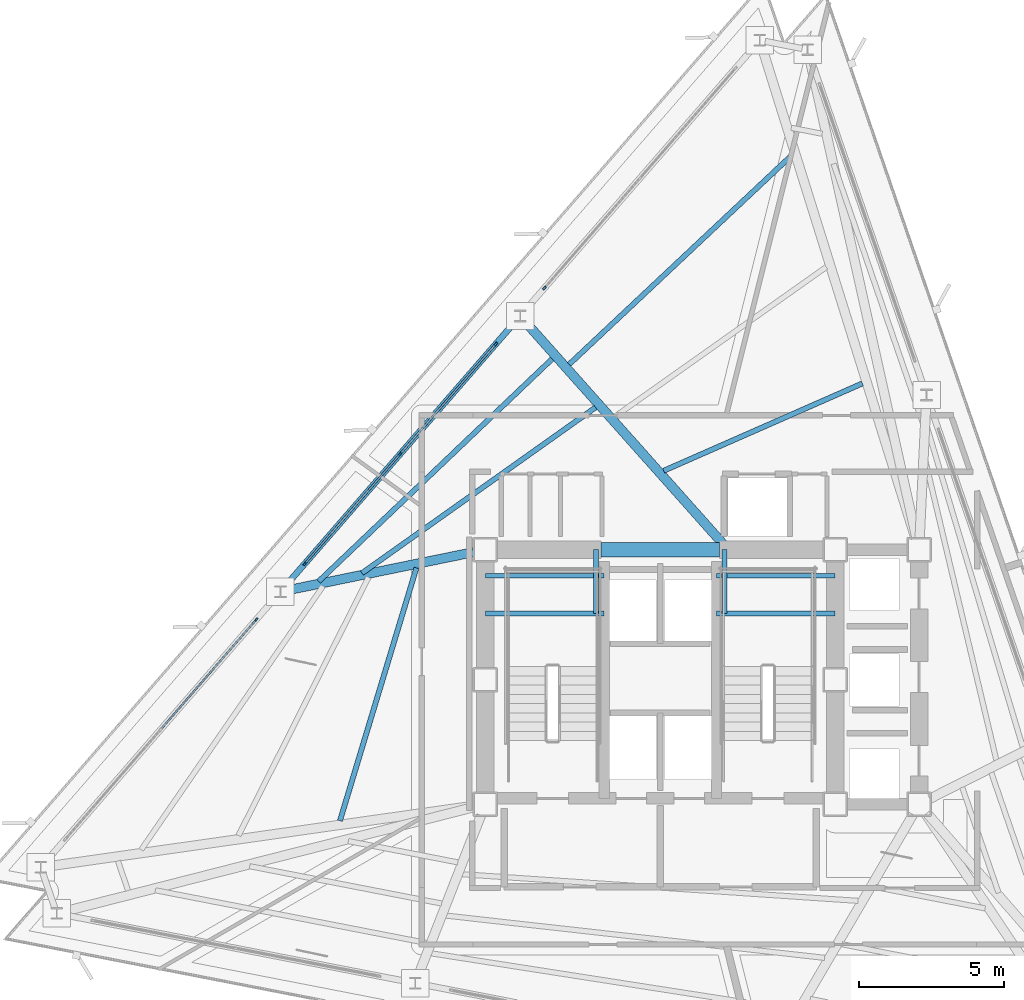
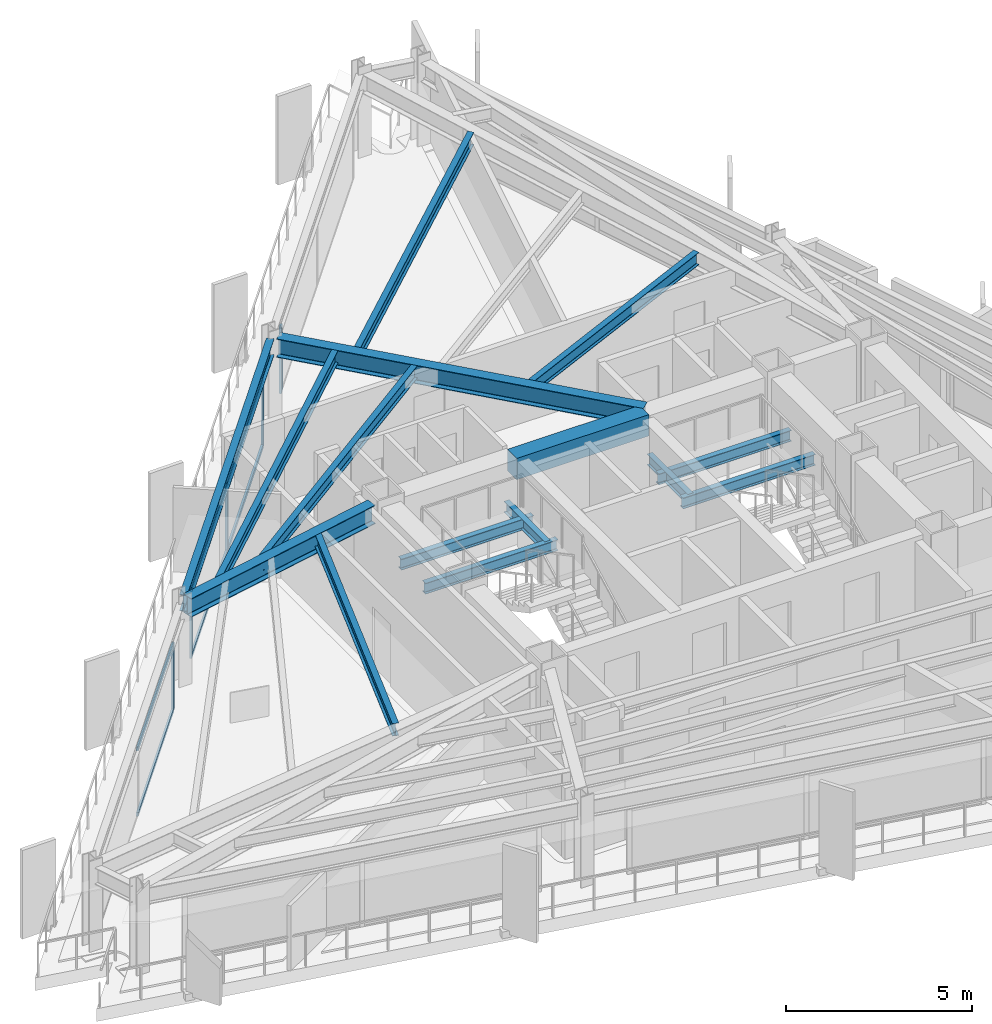
# One storey, part 4 of 13: 15 beams, 11 members, 3 elements without a shape of their own.
"""IFC4 building model written with IfcOpenShell, lengths in metres."""

from ifc_helpers import new_model, si_unit, direction, frame, origin, origin_2d, place, context, subcontext, project, spatial, rectangle, i_section, extrude, material, layer, layer_set, material_profile, profile_set, type_object, element, aggregate, save


model = new_model("IFC4")

# Units and contexts
model_context = context("Model", 3, precision=1e-05, world=origin(), true_north=direction((0.0, 1.0)))
body_context = subcontext(model_context, "Body", "Model", "MODEL_VIEW")
ifc_project = project(units=[si_unit("LENGTHUNIT", "METRE"), si_unit("AREAUNIT", "SQUARE_METRE"), si_unit("VOLUMEUNIT", "CUBIC_METRE"), si_unit("PLANEANGLEUNIT", "RADIAN"), si_unit("MASSUNIT", "GRAM", prefix="KILO")], contexts=[model_context])

# Site, building, storey
site_placement = place(None, origin())
site = spatial("IfcSite", under=ifc_project, at=site_placement, CompositionType="ELEMENT")
building_placement = place(site_placement, origin())
building = spatial("IfcBuilding", under=site, at=building_placement, Name="Rocaltana Carrier Exchange", CompositionType="ELEMENT")
storey_placement = place(building_placement, frame((0.0, 0.0, 147.199951171875)))
storey = spatial("IfcBuildingStorey", under=building, at=storey_placement, Name="L46", CompositionType="ELEMENT", Elevation=147.199951171875)

# Curtain wall, member
ifc_material_1 = material(Name="Aluminium 6063-T6", Category="aluminium")
ifc_layer = layer(ifc_material_1, 0.135009765625)
ifc_layer_set = layer_set([ifc_layer], Name="Aluminium 6063-T6")
curtain_wall_type = type_object("IfcCurtainWallType", Name="Upper-Mid Acoustic Curtain Wall CW-04", PredefinedType="NOTDEFINED", material=ifc_layer_set)
curtain_wall_1_placement = place(storey_placement, origin())
curtain_wall_1 = element("IfcCurtainWall", 1, at=curtain_wall_1_placement, inside=storey, type_object=curtain_wall_type, Name="L46 CW-04 Run CW-L46-F2S1", PredefinedType="NOTDEFINED")
ifc_material_2 = material(Name="Aluminium 6063-T6", Category="aluminium")
ifc_material_profile_1 = material_profile(ifc_material_2, rectangle(XDim=0.06494140625, YDim=0.135009765625, at=origin_2d()), Name="AL-65X135")
ifc_profile_set_1 = profile_set([ifc_material_profile_1], Name="Aluminium 6063-T6")
member_type_1 = type_object("IfcMemberType", Name="CW-04 Mullion AL-65X135", PredefinedType="MULLION", material=ifc_profile_set_1)
member_1_placement = place(storey_placement, frame((-4.005859375, 13.55126953125, 0.0), z_axis=(0.0, 0.0, 1.0), x_axis=(0.75471173919, -0.656056545375, 0.0)))
member_1 = element("IfcMember", 2, at=member_1_placement, type_object=member_type_1, Name="CW-04 mullion 3", PredefinedType="MULLION", context=body_context, shape_type="SweptSolid", body=[
    extrude(rectangle(XDim=0.06494140625, YDim=0.135009765625, at=origin_2d()), origin(), (0.0, 0.0, 1.0), 2.218017578125),
])
aggregate(curtain_wall_1, [member_1])

# Curtain wall, members
curtain_wall_2_placement = place(storey_placement, origin())
curtain_wall_2 = element("IfcCurtainWall", 3, at=curtain_wall_2_placement, inside=storey, type_object=curtain_wall_type, Name="L46 CW-04 Run CW-L46-F2S2", PredefinedType="NOTDEFINED")
member_2_placement = place(storey_placement, frame((-5.688720703125, 11.615478515625, 0.0), z_axis=(0.0, 0.0, 1.0), x_axis=(0.75471173919, -0.656056545375, 0.0)))
member_2 = element("IfcMember", 4, at=member_2_placement, type_object=member_type_1, Name="CW-04 mullion 1", PredefinedType="MULLION", context=body_context, shape_type="SweptSolid", body=[
    extrude(rectangle(XDim=0.06494140625, YDim=0.135009765625, at=origin_2d()), origin(), (0.0, 0.0, 1.0), 2.218017578125),
])
member_3_placement = place(storey_placement, frame((-8.9912109375, 7.816162109375, 0.0), z_axis=(0.0, 0.0, 1.0), x_axis=(0.75471173919, -0.656056545375, 0.0)))
member_3 = element("IfcMember", 5, at=member_3_placement, type_object=member_type_1, Name="CW-04 mullion 2", PredefinedType="MULLION", context=body_context, shape_type="SweptSolid", body=[
    extrude(rectangle(XDim=0.06494140625, YDim=0.135009765625, at=origin_2d()), origin(), (0.0, 0.0, 1.0), 2.218017578125),
])
member_4_placement = place(storey_placement, frame((-12.2939453125, 4.016845703125, 0.0), z_axis=(0.0, 0.0, 1.0), x_axis=(0.75471173919, -0.656056545375, 0.0)))
member_4 = element("IfcMember", 6, at=member_4_placement, type_object=member_type_1, Name="CW-04 mullion 3", PredefinedType="MULLION", context=body_context, shape_type="SweptSolid", body=[
    extrude(rectangle(XDim=0.06494140625, YDim=0.135009765625, at=origin_2d()), origin(), (0.0, 0.0, 1.0), 2.218017578125),
])

# Curtain wall, member
curtain_wall_3_placement = place(storey_placement, origin())
curtain_wall_3 = element("IfcCurtainWall", 7, at=curtain_wall_3_placement, inside=storey, type_object=curtain_wall_type, Name="L46 CW-04 Run CW-L46-F2S3", PredefinedType="NOTDEFINED")
member_5_placement = place(storey_placement, frame((-13.976806640625, 2.080810546875, 0.0), z_axis=(0.0, 0.0, 1.0), x_axis=(0.75471173919, -0.656056545375, 0.0)))
member_5 = element("IfcMember", 8, at=member_5_placement, type_object=member_type_1, Name="CW-04 mullion 1", PredefinedType="MULLION", context=body_context, shape_type="SweptSolid", body=[
    extrude(rectangle(XDim=0.06494140625, YDim=0.135009765625, at=origin_2d()), origin(), (0.0, 0.0, 1.0), 2.218017578125),
])

# Member
ifc_material_3 = material(Name="Aluminium 6063-T6", Category="aluminium")
ifc_material_profile_2 = material_profile(ifc_material_3, rectangle(XDim=0.06494140625, YDim=0.135009765625, at=origin_2d()), Name="AL-65X135")
ifc_profile_set_2 = profile_set([ifc_material_profile_2], Name="Aluminium 6063-T6")
member_type_2 = type_object("IfcMemberType", Name="CW-04 Transom AL-65X135", PredefinedType="USERDEFINED", material=ifc_profile_set_2)
member_6_placement = place(storey_placement, frame((-5.7099609375, 11.5908203125, 0.032470703125), z_axis=(-0.656055850486, -0.754712343243, 0.0), x_axis=(0.754712343243, -0.656055850486, 0.0)))
member_6 = element("IfcMember", 9, at=member_6_placement, type_object=member_type_2, Name="CW-04 transom 1.1", ObjectType="TRANSOM", PredefinedType="USERDEFINED", context=body_context, shape_type="SweptSolid", body=[
    extrude(rectangle(XDim=0.06494140625, YDim=0.135009765625, at=origin_2d()), origin(), (0.0, 0.0, 1.0), 4.968994140625),
])

member_7_placement = place(storey_placement, frame((-5.7099609375, 11.5908203125, 2.185546875), z_axis=(-0.656055850486, -0.754712343243, 0.0), x_axis=(0.754712343243, -0.656055850486, 0.0)))
member_7 = element("IfcMember", 10, at=member_7_placement, type_object=member_type_2, Name="CW-04 transom 1.2", ObjectType="TRANSOM", PredefinedType="USERDEFINED", context=body_context, shape_type="SweptSolid", body=[
    extrude(rectangle(XDim=0.06494140625, YDim=0.135009765625, at=origin_2d()), origin(), (0.0, 0.0, 1.0), 4.968994140625),
])

member_8_placement = place(storey_placement, frame((-9.0126953125, 7.79150390625, 0.032470703125), z_axis=(-0.656055850486, -0.754712343243, 0.0), x_axis=(0.754712343243, -0.656055850486, 0.0)))
member_8 = element("IfcMember", 11, at=member_8_placement, type_object=member_type_2, Name="CW-04 transom 2.1", ObjectType="TRANSOM", PredefinedType="USERDEFINED", context=body_context, shape_type="SweptSolid", body=[
    extrude(rectangle(XDim=0.06494140625, YDim=0.135009765625, at=origin_2d()), origin(), (0.0, 0.0, 1.0), 4.968994140625),
])

member_9_placement = place(storey_placement, frame((-9.0126953125, 7.79150390625, 2.185546875), z_axis=(-0.656055850486, -0.754712343243, 0.0), x_axis=(0.754712343243, -0.656055850486, 0.0)))
member_9 = element("IfcMember", 12, at=member_9_placement, type_object=member_type_2, Name="CW-04 transom 2.2", ObjectType="TRANSOM", PredefinedType="USERDEFINED", context=body_context, shape_type="SweptSolid", body=[
    extrude(rectangle(XDim=0.06494140625, YDim=0.135009765625, at=origin_2d()), origin(), (0.0, 0.0, 1.0), 4.968994140625),
])

aggregate(curtain_wall_2, [member_2, member_3, member_4, member_6, member_7, member_8, member_9])

member_10_placement = place(storey_placement, frame((-13.998046875, 2.056396484375, 0.032470703125), z_axis=(-0.656055850486, -0.754712343243, 0.0), x_axis=(0.754712343243, -0.656055850486, 0.0)))
member_10 = element("IfcMember", 13, at=member_10_placement, type_object=member_type_2, Name="CW-04 transom 1.1", ObjectType="TRANSOM", PredefinedType="USERDEFINED", context=body_context, shape_type="SweptSolid", body=[
    extrude(rectangle(XDim=0.06494140625, YDim=0.135009765625, at=origin_2d()), origin(), (0.0, 0.0, 1.0), 4.968994140625),
])

member_11_placement = place(storey_placement, frame((-13.998046875, 2.056396484375, 2.185546875), z_axis=(-0.656055850486, -0.754712343243, 0.0), x_axis=(0.754712343243, -0.656055850486, 0.0)))
member_11 = element("IfcMember", 14, at=member_11_placement, type_object=member_type_2, Name="CW-04 transom 1.2", ObjectType="TRANSOM", PredefinedType="USERDEFINED", context=body_context, shape_type="SweptSolid", body=[
    extrude(rectangle(XDim=0.06494140625, YDim=0.135009765625, at=origin_2d()), origin(), (0.0, 0.0, 1.0), 4.968994140625),
])

aggregate(curtain_wall_3, [member_5, member_10, member_11])

# Beams
ifc_material_4 = material(Name="Concrete C60/75", Category="concrete")
ifc_material_profile_3 = material_profile(ifc_material_4, rectangle(XDim=0.5, YDim=0.699951171875, at=origin_2d()), Name="RC-BM-500X700")
ifc_profile_set_3 = profile_set([ifc_material_profile_3], Name="Concrete C60/75")
beam_type_1 = type_object("IfcBeamType", Name="Core Coupling Lintel 500x700", PredefinedType="LINTEL", material=ifc_profile_set_3)
beam_1_placement = place(storey_placement, frame((-2.050048828125, 4.5, 2.43798828125), z_axis=(1.0, 0.0, 0.0), x_axis=(0.0, 1.0, 0.0)))
element("IfcBeam", 15, at=beam_1_placement, inside=storey, type_object=beam_type_1, Name="L46 Core Coupling Lintel CL-N", PredefinedType="LINTEL", context=body_context, shape_type="SweptSolid", body=[
    extrude(rectangle(XDim=0.5, YDim=0.699951171875, at=origin_2d()), origin(), (0.0, 0.0, 1.0), 4.10009765625),
])
ifc_material_5 = material(Name="Steel S355", Category="steel")
ifc_material_profile_4 = material_profile(ifc_material_5, i_section(OverallWidth=0.172119140625, OverallDepth=0.35791015625, WebThickness=0.0078125, FlangeThickness=0.01318359375, FilletRadius=0.011962890625, at=origin_2d()), Name="W14X38")
ifc_profile_set_4 = profile_set([ifc_material_profile_4], Name="Steel S355")
beam_type_2 = type_object("IfcBeamType", Name="Floor Joist W14X38", PredefinedType="JOIST", material=ifc_profile_set_4)
for number, where, z_axis, x_axis, name in (
    (16, (-6.050048828125, 2.300048828125, 1.14111328125), (1.0, 0.0, 0.0), (0.0, 1.0, 0.0), "L46 ST-1 Landing Carrier 1"),
    (17, (1.93994140625, 2.300048828125, 1.14111328125), (1.0, 0.0, 0.0), (0.0, 1.0, 0.0), "L46 ST-2 Landing Carrier 1"),
    (18, (-6.050048828125, 3.60009765625, 1.14111328125), (1.0, 0.0, 0.0), (0.0, 1.0, 0.0), "L46 ST-1 Landing Carrier 2"),
    (19, (1.93994140625, 3.60009765625, 1.14111328125), (1.0, 0.0, 0.0), (0.0, 1.0, 0.0), "L46 ST-2 Landing Carrier 2"),
):
    element("IfcBeam", number, at=place(storey_placement, frame(where, z_axis=z_axis, x_axis=x_axis)), inside=storey, type_object=beam_type_2, Name=name, PredefinedType="JOIST", context=body_context, shape_type="SweptSolid", body=[
        extrude(i_section(OverallWidth=0.172119140625, OverallDepth=0.35791015625, WebThickness=0.0078125, FlangeThickness=0.01318359375, FilletRadius=0.011962890625, at=origin_2d()), origin(), (0.0, 0.0, 1.0), 4.110107421875),
    ])
for number, where, z_axis, x_axis, name in (
    (20, (-2.219970703125, 2.300048828125, 1.14111328125), (0.0, 1.0, 0.0), (-1.0, 0.0, 0.0), "L46 ST-1 Landing Cross Trimmer"),
    (21, (2.219970703125, 2.300048828125, 1.14111328125), (0.0, 1.0, 0.0), (-1.0, 0.0, 0.0), "L46 ST-2 Landing Cross Trimmer"),
):
    element("IfcBeam", number, at=place(storey_placement, frame(where, z_axis=z_axis, x_axis=x_axis)), inside=storey, type_object=beam_type_2, Name=name, PredefinedType="JOIST", context=body_context, shape_type="SweptSolid", body=[
        extrude(i_section(OverallWidth=0.172119140625, OverallDepth=0.35791015625, WebThickness=0.0078125, FlangeThickness=0.01318359375, FilletRadius=0.011962890625, at=origin_2d()), origin(), (0.0, 0.0, 1.0), 2.199951171875),
    ])
ifc_material_6 = material(Name="Steel S355", Category="steel")
ifc_material_profile_5 = material_profile(ifc_material_6, i_section(OverallWidth=0.179931640625, OverallDepth=0.4130859375, WebThickness=0.009765625, FlangeThickness=0.01611328125, FilletRadius=0.012939453125, at=origin_2d()), Name="W16X50")
ifc_profile_set_5 = profile_set([ifc_material_profile_5], Name="Steel S355")
beam_type_3 = type_object("IfcBeamType", Name="Floor Joist W16X50", PredefinedType="JOIST", material=ifc_profile_set_5)
beam_2_placement = place(storey_placement, frame((6.9892578125, 10.251220703125, 2.58154296875), z_axis=(-0.915437763767, -0.402459564018, 0.0), x_axis=(0.402459564018, -0.915437763767, 0.0)))
element("IfcBeam", 22, at=beam_2_placement, inside=storey, type_object=beam_type_3, Name="FJ-L46-05-1", PredefinedType="JOIST", context=body_context, shape_type="SweptSolid", body=[
    extrude(i_section(OverallWidth=0.179931640625, OverallDepth=0.4130859375, WebThickness=0.009765625, FlangeThickness=0.01611328125, FilletRadius=0.012939453125, at=origin_2d()), origin(), (0.0, 0.0, 1.0), 7.50634765625),
])
beam_3_placement = place(storey_placement, frame((4.539306640625, 18.135009765625, 2.58154296875), z_axis=(-0.728861369792, -0.684661305774, 0.0), x_axis=(0.684661305774, -0.728861369792, 0.0)))
element("IfcBeam", 23, at=beam_3_placement, inside=storey, type_object=beam_type_3, Name="FJ-L46-05-3", PredefinedType="JOIST", context=body_context, shape_type="SweptSolid", body=[
    extrude(i_section(OverallWidth=0.179931640625, OverallDepth=0.4130859375, WebThickness=0.009765625, FlangeThickness=0.01611328125, FilletRadius=0.012939453125, at=origin_2d()), origin(), (0.0, 0.0, 1.0), 10.550048828125),
])
beam_4_placement = place(storey_placement, frame((-2.239501953125, 9.42138671875, 2.58154296875), z_axis=(-0.815531916739, -0.578712098353, 0.0), x_axis=(0.578712098353, -0.815531916739, 0.0)))
element("IfcBeam", 24, at=beam_4_placement, inside=storey, type_object=beam_type_3, Name="FJ-L46-06-2", PredefinedType="JOIST", context=body_context, shape_type="SweptSolid", body=[
    extrude(i_section(OverallWidth=0.179931640625, OverallDepth=0.4130859375, WebThickness=0.009765625, FlangeThickness=0.01611328125, FilletRadius=0.012939453125, at=origin_2d()), origin(), (0.0, 0.0, 1.0), 9.90283203125),
])
beam_5_placement = place(storey_placement, frame((-3.736572265625, 11.1015625, 2.58154296875), z_axis=(-0.724047932372, -0.689749658665, 0.0), x_axis=(0.689749658665, -0.724047932372, 0.0)))
element("IfcBeam", 25, at=beam_5_placement, inside=storey, type_object=beam_type_3, Name="FJ-L46-06-3", PredefinedType="JOIST", context=body_context, shape_type="SweptSolid", body=[
    extrude(i_section(OverallWidth=0.179931640625, OverallDepth=0.4130859375, WebThickness=0.009765625, FlangeThickness=0.01611328125, FilletRadius=0.012939453125, at=origin_2d()), origin(), (0.0, 0.0, 1.0), 11.161376953125),
])
beam_6_placement = place(storey_placement, frame((-8.433349609375, 3.871826171875, 2.58154296875), z_axis=(-0.289517060533, -0.957172853596, 0.0), x_axis=(0.957172853596, -0.289517060533, 0.0)))
element("IfcBeam", 26, at=beam_6_placement, inside=storey, type_object=beam_type_3, Name="FJ-L46-07-1", PredefinedType="JOIST", context=body_context, shape_type="SweptSolid", body=[
    extrude(i_section(OverallWidth=0.179931640625, OverallDepth=0.4130859375, WebThickness=0.009765625, FlangeThickness=0.01611328125, FilletRadius=0.012939453125, at=origin_2d()), origin(), (0.0, 0.0, 1.0), 9.135009765625),
])
ifc_material_7 = material(Name="Steel S355", Category="steel")
ifc_material_profile_6 = material_profile(ifc_material_7, i_section(OverallWidth=0.323974609375, OverallDepth=0.611083984375, WebThickness=0.0126953125, FlangeThickness=0.01904296875, FilletRadius=0.01611328125, at=origin_2d()), Name="W24X104")
ifc_profile_set_6 = profile_set([ifc_material_profile_6], Name="Steel S355")
beam_type_4 = type_object("IfcBeamType", Name="Radial Girder W24X104", PredefinedType="BEAM", material=ifc_profile_set_6)
beam_7_placement = place(storey_placement, frame((2.189208984375, 4.6806640625, 2.482666015625), z_axis=(-0.664999508704, 0.746843794527, 0.0), x_axis=(-0.746843794527, -0.664999508704, 0.0)))
element("IfcBeam", 27, at=beam_7_placement, inside=storey, type_object=beam_type_4, Name="RG-L46-06", PredefinedType="BEAM", context=body_context, shape_type="SweptSolid", body=[
    extrude(i_section(OverallWidth=0.323974609375, OverallDepth=0.611083984375, WebThickness=0.0126953125, FlangeThickness=0.01904296875, FilletRadius=0.01611328125, at=origin_2d()), origin(), (0.0, 0.0, 1.0), 10.3896484375),
])
beam_8_placement = place(storey_placement, frame((-6.45849609375, 4.416259765625, 2.482666015625), z_axis=(-0.979662930215, -0.200650300681, 0.0), x_axis=(0.200650300681, -0.979662930215, 0.0)))
element("IfcBeam", 28, at=beam_8_placement, inside=storey, type_object=beam_type_4, Name="RG-L46-07", PredefinedType="BEAM", context=body_context, shape_type="SweptSolid", body=[
    extrude(i_section(OverallWidth=0.323974609375, OverallDepth=0.611083984375, WebThickness=0.0126953125, FlangeThickness=0.01904296875, FilletRadius=0.01611328125, at=origin_2d()), origin(), (0.0, 0.0, 1.0), 6.6240234375),
])
ifc_material_8 = material(Name="Steel S355", Category="steel")
ifc_material_profile_7 = material_profile(ifc_material_8, i_section(OverallWidth=0.2119140625, OverallDepth=0.5439453125, WebThickness=0.01318359375, FlangeThickness=0.021240234375, FilletRadius=0.014892578125, at=origin_2d()), Name="W21X83")
ifc_profile_set_7 = profile_set([ifc_material_profile_7], Name="Steel S355")
beam_type_5 = type_object("IfcBeamType", Name="Spandrel Edge Beam W21X83", PredefinedType="SPANDREL", material=ifc_profile_set_7)
beam_9_placement = place(storey_placement, frame((-4.972900390625, 12.438720703125, 2.51611328125), z_axis=(-0.656058807926, -0.754709772391, 0.0), x_axis=(0.754709772391, -0.656058807926, 0.0)))
element("IfcBeam", 29, at=beam_9_placement, inside=storey, type_object=beam_type_5, Name="SP-L46-06", PredefinedType="SPANDREL", context=body_context, shape_type="SweptSolid", body=[
    extrude(i_section(OverallWidth=0.2119140625, OverallDepth=0.5439453125, WebThickness=0.01318359375, FlangeThickness=0.021240234375, FilletRadius=0.014892578125, at=origin_2d()), origin(), (0.0, 0.0, 1.0), 12.250244140625),
])

save(model, "model.ifc")
